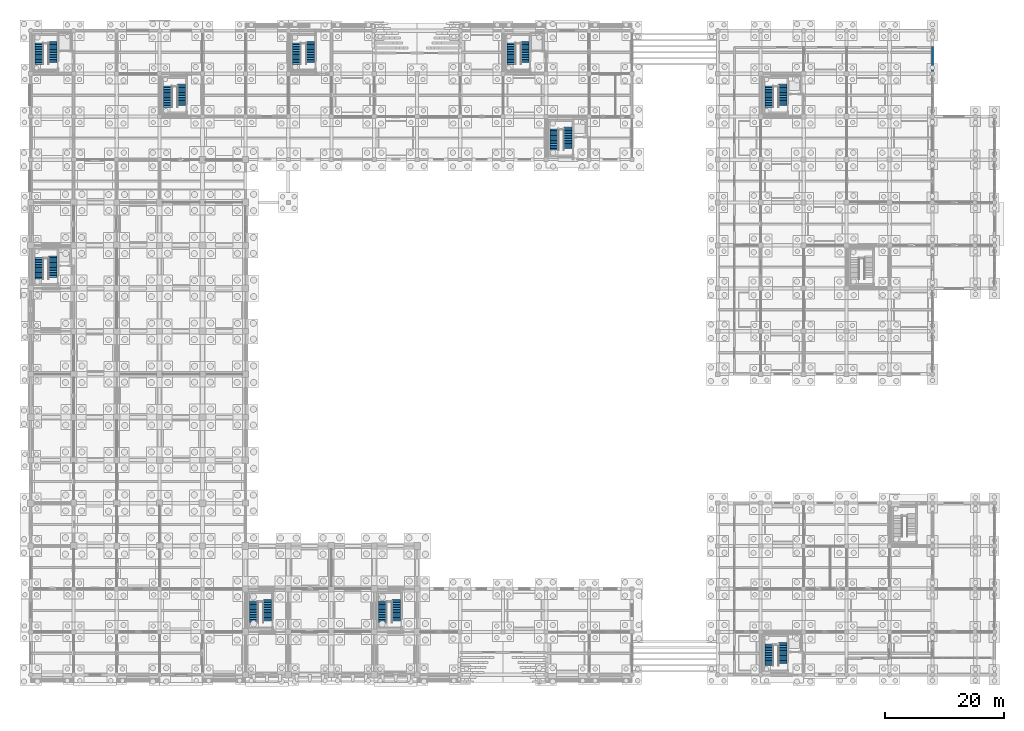
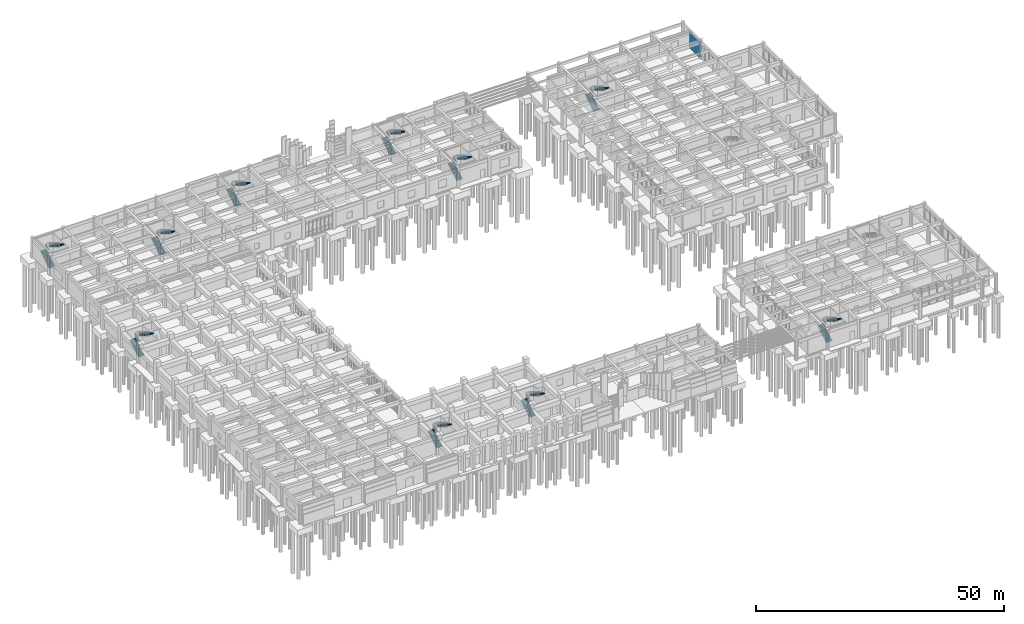
# One storey, part 69 of 79: 20 stair flights, 1 wall, 10 elements without a shape of their own.
"""IFC4 building model written with IfcOpenShell, lengths in metres."""

from ifc_helpers import new_model, si_unit, direction, frame, frame_2d, origin, place, context, subcontext, project, spatial, polyline, rectangle, outline, extrude, material, layer, layer_set, type_object, element, aggregate, save


model = new_model("IFC4")

# Units and contexts
model_context = context("Model", 3, precision=1e-05, world=origin(), true_north=direction((0.0, 1.0)))
body_context = subcontext(model_context, "Body", "Model", "MODEL_VIEW")
ifc_project = project(units=[si_unit("LENGTHUNIT", "METRE"), si_unit("AREAUNIT", "SQUARE_METRE"), si_unit("VOLUMEUNIT", "CUBIC_METRE"), si_unit("PLANEANGLEUNIT", "RADIAN"), si_unit("MASSUNIT", "GRAM", prefix="KILO")], contexts=[model_context])

# Site, building, storey
site_placement = place(None, origin())
site = spatial("IfcSite", under=ifc_project, at=site_placement, CompositionType="ELEMENT")
building_placement = place(site_placement, origin())
building = spatial("IfcBuilding", under=site, at=building_placement, Name="Kavelor Marine Aquarium", CompositionType="ELEMENT")
storey_placement = place(building_placement, origin())
storey = spatial("IfcBuildingStorey", under=building, at=storey_placement, Name="L00", CompositionType="ELEMENT", Elevation=0.0)

# Wall
ifc_material_1 = material(Name="Concrete C45/55", Category="concrete")
ifc_layer = layer(ifc_material_1, 0.340087890625)
ifc_layer_set = layer_set([ifc_layer], Name="WL-EX6")
wall_type = type_object("IfcWallType", Name="WL-EX6", PredefinedType="STANDARD", material=ifc_layer_set)
wall_placement = place(storey_placement, frame((154.39990234375, 108.14990234375, 0.0), z_axis=(0.0, 0.0, 1.0), x_axis=(0.0, -1.0, 0.0)))
element("IfcWall", 1, at=wall_placement, inside=storey, type_object=wall_type, Name="ew:y:L00:21_14", PredefinedType="STANDARD", context=body_context, shape_type="SweptSolid", body=[
    extrude(rectangle(XDim=4.239990234375, YDim=0.340087890625, at=frame_2d((2.1201171875, 0.0))), origin(), (0.0, 0.0, 1.0), 3.669921875),
])

# Stair, stair flights
ifc_material_2 = material(Name="Concrete C40/50", Category="concrete")
stair_type = type_object("IfcStairType", Name="ST-T1", PredefinedType="HALF_TURN_STAIR", material=ifc_material_2)
stair_1_placement = place(storey_placement, origin())
stair_1 = element("IfcStair", 2, at=stair_1_placement, inside=storey, type_object=stair_type, Name="Exit Stair ST01 (L00)", PredefinedType="HALF_TURN_STAIR")
ifc_material_3 = material(Name="Concrete C40/50", Category="concrete")
stair_flight_type = type_object("IfcStairFlightType", Name="FLT-T1", PredefinedType="STRAIGHT", material=ifc_material_3)
stair_flight_1_placement = place(storey_placement, frame((4.580078125, 105.159912109375, 0.0), z_axis=(0.0, 0.0, 1.0), x_axis=(0.0, 1.0, 0.0)))
stair_flight_1 = element("IfcStairFlight", 3, at=stair_flight_1_placement, type_object=stair_flight_type, Name="ST01 flight 1", NumberOfRisers=14, NumberOfTreads=13, PredefinedType="STRAIGHT", RiserHeight=0.167143, TreadLength=0.275, context=body_context, shape_type="SweptSolid", body=[
    extrude(outline(polyline([(0.0, 0.0), (0.0, 0.167236328125), (0.27490234375, 0.167236328125), (0.27490234375, 0.334228515625), (0.550048828125, 0.334228515625), (0.550048828125, 0.50146484375), (0.824951171875, 0.50146484375), (0.824951171875, 0.66845703125), (1.10009765625, 0.66845703125), (1.10009765625, 0.835693359375), (1.375, 0.835693359375), (1.375, 1.0029296875), (1.64990234375, 1.0029296875), (1.64990234375, 1.169921875), (1.925048828125, 1.169921875), (1.925048828125, 1.337158203125), (2.199951171875, 1.337158203125), (2.199951171875, 1.50439453125), (2.47509765625, 1.50439453125), (2.47509765625, 1.67138671875), (2.75, 1.67138671875), (2.75, 1.838623046875), (3.02490234375, 1.838623046875), (3.02490234375, 2.005615234375), (3.300048828125, 2.005615234375), (3.300048828125, 2.1728515625), (3.574951171875, 2.1728515625), (3.574951171875, 2.340087890625), (3.574951171875, 1.96240234375), (0.346435546875, 0.0), (0.0, 0.0)])), frame((0.0, 0.68994140625, 0.0), z_axis=(0.0, -1.0, 0.0), x_axis=(1.0, 0.0, 0.0)), (0.0, 0.0, 1.0), 1.3798828125),
])
stair_flight_2_placement = place(storey_placement, frame((6.89990234375, 109.034912109375, 2.340087890625), z_axis=(0.0, 0.0, 1.0), x_axis=(0.0, -1.0, 0.0)))
stair_flight_2 = element("IfcStairFlight", 4, at=stair_flight_2_placement, type_object=stair_flight_type, Name="ST01 flight 2", NumberOfRisers=14, NumberOfTreads=13, PredefinedType="STRAIGHT", RiserHeight=0.167143, TreadLength=0.275, context=body_context, shape_type="SweptSolid", body=[
    extrude(outline(polyline([(0.0, 0.0), (0.0, 0.167236328125), (0.27490234375, 0.167236328125), (0.27490234375, 0.334228515625), (0.550048828125, 0.334228515625), (0.550048828125, 0.50146484375), (0.824951171875, 0.50146484375), (0.824951171875, 0.66845703125), (1.10009765625, 0.66845703125), (1.10009765625, 0.835693359375), (1.375, 0.835693359375), (1.375, 1.0029296875), (1.64990234375, 1.0029296875), (1.64990234375, 1.169921875), (1.925048828125, 1.169921875), (1.925048828125, 1.337158203125), (2.199951171875, 1.337158203125), (2.199951171875, 1.50439453125), (2.47509765625, 1.50439453125), (2.47509765625, 1.67138671875), (2.75, 1.67138671875), (2.75, 1.838623046875), (3.02490234375, 1.838623046875), (3.02490234375, 2.005615234375), (3.300048828125, 2.005615234375), (3.300048828125, 2.1728515625), (3.574951171875, 2.1728515625), (3.574951171875, 2.340087890625), (3.574951171875, 1.96240234375), (0.346435546875, 0.0), (0.0, 0.0)])), frame((0.0, 0.68994140625, 0.0), z_axis=(0.0, -1.0, 0.0), x_axis=(1.0, 0.0, 0.0)), (0.0, 0.0, 1.0), 1.3798828125),
])
aggregate(stair_1, [stair_flight_1, stair_flight_2])

stair_2_placement = place(storey_placement, origin())
stair_2 = element("IfcStair", 5, at=stair_2_placement, inside=storey, type_object=stair_type, Name="Exit Stair ST02 (L00)", PredefinedType="HALF_TURN_STAIR")
stair_flight_3_placement = place(storey_placement, frame((26.179931640625, 97.9599609375, 0.0), z_axis=(0.0, 0.0, 1.0), x_axis=(0.0, 1.0, 0.0)))
stair_flight_3 = element("IfcStairFlight", 6, at=stair_flight_3_placement, type_object=stair_flight_type, Name="ST02 flight 1", NumberOfRisers=14, NumberOfTreads=13, PredefinedType="STRAIGHT", RiserHeight=0.167143, TreadLength=0.275, context=body_context, shape_type="SweptSolid", body=[
    extrude(outline(polyline([(0.0, 0.0), (0.0, 0.167236328125), (0.27490234375, 0.167236328125), (0.27490234375, 0.334228515625), (0.550048828125, 0.334228515625), (0.550048828125, 0.50146484375), (0.824951171875, 0.50146484375), (0.824951171875, 0.66845703125), (1.10009765625, 0.66845703125), (1.10009765625, 0.835693359375), (1.375, 0.835693359375), (1.375, 1.0029296875), (1.64990234375, 1.0029296875), (1.64990234375, 1.169921875), (1.925048828125, 1.169921875), (1.925048828125, 1.337158203125), (2.199951171875, 1.337158203125), (2.199951171875, 1.50439453125), (2.47509765625, 1.50439453125), (2.47509765625, 1.67138671875), (2.75, 1.67138671875), (2.75, 1.838623046875), (3.02490234375, 1.838623046875), (3.02490234375, 2.005615234375), (3.300048828125, 2.005615234375), (3.300048828125, 2.1728515625), (3.574951171875, 2.1728515625), (3.574951171875, 2.340087890625), (3.574951171875, 1.96240234375), (0.346435546875, 0.0), (0.0, 0.0)])), frame((0.0, 0.68994140625, 0.0), z_axis=(0.0, -1.0, 0.0), x_axis=(1.0, 0.0, 0.0)), (0.0, 0.0, 1.0), 1.3798828125),
])
stair_flight_4_placement = place(storey_placement, frame((28.5, 101.8349609375, 2.340087890625), z_axis=(0.0, 0.0, 1.0), x_axis=(0.0, -1.0, 0.0)))
stair_flight_4 = element("IfcStairFlight", 7, at=stair_flight_4_placement, type_object=stair_flight_type, Name="ST02 flight 2", NumberOfRisers=14, NumberOfTreads=13, PredefinedType="STRAIGHT", RiserHeight=0.167143, TreadLength=0.275, context=body_context, shape_type="SweptSolid", body=[
    extrude(outline(polyline([(0.0, 0.0), (0.0, 0.167236328125), (0.27490234375, 0.167236328125), (0.27490234375, 0.334228515625), (0.550048828125, 0.334228515625), (0.550048828125, 0.50146484375), (0.824951171875, 0.50146484375), (0.824951171875, 0.66845703125), (1.10009765625, 0.66845703125), (1.10009765625, 0.835693359375), (1.375, 0.835693359375), (1.375, 1.0029296875), (1.64990234375, 1.0029296875), (1.64990234375, 1.169921875), (1.925048828125, 1.169921875), (1.925048828125, 1.337158203125), (2.199951171875, 1.337158203125), (2.199951171875, 1.50439453125), (2.47509765625, 1.50439453125), (2.47509765625, 1.67138671875), (2.75, 1.67138671875), (2.75, 1.838623046875), (3.02490234375, 1.838623046875), (3.02490234375, 2.005615234375), (3.300048828125, 2.005615234375), (3.300048828125, 2.1728515625), (3.574951171875, 2.1728515625), (3.574951171875, 2.340087890625), (3.574951171875, 1.96240234375), (0.346435546875, 0.0), (0.0, 0.0)])), frame((0.0, 0.68994140625, 0.0), z_axis=(0.0, -1.0, 0.0), x_axis=(1.0, 0.0, 0.0)), (0.0, 0.0, 1.0), 1.3798828125),
])
aggregate(stair_2, [stair_flight_3, stair_flight_4])

stair_3_placement = place(storey_placement, origin())
stair_3 = element("IfcStair", 8, at=stair_3_placement, inside=storey, type_object=stair_type, Name="Exit Stair ST03 (L00)", PredefinedType="HALF_TURN_STAIR")
stair_flight_5_placement = place(storey_placement, frame((4.580078125, 69.159912109375, 0.0), z_axis=(0.0, 0.0, 1.0), x_axis=(0.0, 1.0, 0.0)))
stair_flight_5 = element("IfcStairFlight", 9, at=stair_flight_5_placement, type_object=stair_flight_type, Name="ST03 flight 1", NumberOfRisers=14, NumberOfTreads=13, PredefinedType="STRAIGHT", RiserHeight=0.167143, TreadLength=0.275, context=body_context, shape_type="SweptSolid", body=[
    extrude(outline(polyline([(0.0, 0.0), (0.0, 0.167236328125), (0.27490234375, 0.167236328125), (0.27490234375, 0.334228515625), (0.550048828125, 0.334228515625), (0.550048828125, 0.50146484375), (0.824951171875, 0.50146484375), (0.824951171875, 0.66845703125), (1.10009765625, 0.66845703125), (1.10009765625, 0.835693359375), (1.375, 0.835693359375), (1.375, 1.0029296875), (1.64990234375, 1.0029296875), (1.64990234375, 1.169921875), (1.925048828125, 1.169921875), (1.925048828125, 1.337158203125), (2.199951171875, 1.337158203125), (2.199951171875, 1.50439453125), (2.47509765625, 1.50439453125), (2.47509765625, 1.67138671875), (2.75, 1.67138671875), (2.75, 1.838623046875), (3.02490234375, 1.838623046875), (3.02490234375, 2.005615234375), (3.300048828125, 2.005615234375), (3.300048828125, 2.1728515625), (3.574951171875, 2.1728515625), (3.574951171875, 2.340087890625), (3.574951171875, 1.96240234375), (0.346435546875, 0.0), (0.0, 0.0)])), frame((0.0, 0.68994140625, 0.0), z_axis=(0.0, -1.0, 0.0), x_axis=(1.0, 0.0, 0.0)), (0.0, 0.0, 1.0), 1.3798828125),
])
stair_flight_6_placement = place(storey_placement, frame((6.89990234375, 73.034912109375, 2.340087890625), z_axis=(0.0, 0.0, 1.0), x_axis=(0.0, -1.0, 0.0)))
stair_flight_6 = element("IfcStairFlight", 10, at=stair_flight_6_placement, type_object=stair_flight_type, Name="ST03 flight 2", NumberOfRisers=14, NumberOfTreads=13, PredefinedType="STRAIGHT", RiserHeight=0.167143, TreadLength=0.275, context=body_context, shape_type="SweptSolid", body=[
    extrude(outline(polyline([(0.0, 0.0), (0.0, 0.167236328125), (0.27490234375, 0.167236328125), (0.27490234375, 0.334228515625), (0.550048828125, 0.334228515625), (0.550048828125, 0.50146484375), (0.824951171875, 0.50146484375), (0.824951171875, 0.66845703125), (1.10009765625, 0.66845703125), (1.10009765625, 0.835693359375), (1.375, 0.835693359375), (1.375, 1.0029296875), (1.64990234375, 1.0029296875), (1.64990234375, 1.169921875), (1.925048828125, 1.169921875), (1.925048828125, 1.337158203125), (2.199951171875, 1.337158203125), (2.199951171875, 1.50439453125), (2.47509765625, 1.50439453125), (2.47509765625, 1.67138671875), (2.75, 1.67138671875), (2.75, 1.838623046875), (3.02490234375, 1.838623046875), (3.02490234375, 2.005615234375), (3.300048828125, 2.005615234375), (3.300048828125, 2.1728515625), (3.574951171875, 2.1728515625), (3.574951171875, 2.340087890625), (3.574951171875, 1.96240234375), (0.346435546875, 0.0), (0.0, 0.0)])), frame((0.0, 0.68994140625, 0.0), z_axis=(0.0, -1.0, 0.0), x_axis=(1.0, 0.0, 0.0)), (0.0, 0.0, 1.0), 1.3798828125),
])
aggregate(stair_3, [stair_flight_5, stair_flight_6])

stair_4_placement = place(storey_placement, origin())
stair_4 = element("IfcStair", 11, at=stair_4_placement, inside=storey, type_object=stair_type, Name="Exit Stair ST04 (L00)", PredefinedType="HALF_TURN_STAIR")
stair_flight_7_placement = place(storey_placement, frame((40.580078125, 11.56005859375, 0.0), z_axis=(0.0, 0.0, 1.0), x_axis=(0.0, 1.0, 0.0)))
stair_flight_7 = element("IfcStairFlight", 12, at=stair_flight_7_placement, type_object=stair_flight_type, Name="ST04 flight 1", NumberOfRisers=14, NumberOfTreads=13, PredefinedType="STRAIGHT", RiserHeight=0.167143, TreadLength=0.275, context=body_context, shape_type="SweptSolid", body=[
    extrude(outline(polyline([(0.0, 0.0), (0.0, 0.167236328125), (0.27490234375, 0.167236328125), (0.27490234375, 0.334228515625), (0.550048828125, 0.334228515625), (0.550048828125, 0.50146484375), (0.824951171875, 0.50146484375), (0.824951171875, 0.66845703125), (1.10009765625, 0.66845703125), (1.10009765625, 0.835693359375), (1.375, 0.835693359375), (1.375, 1.0029296875), (1.64990234375, 1.0029296875), (1.64990234375, 1.169921875), (1.925048828125, 1.169921875), (1.925048828125, 1.337158203125), (2.199951171875, 1.337158203125), (2.199951171875, 1.50439453125), (2.47509765625, 1.50439453125), (2.47509765625, 1.67138671875), (2.75, 1.67138671875), (2.75, 1.838623046875), (3.02490234375, 1.838623046875), (3.02490234375, 2.005615234375), (3.300048828125, 2.005615234375), (3.300048828125, 2.1728515625), (3.574951171875, 2.1728515625), (3.574951171875, 2.340087890625), (3.574951171875, 1.96240234375), (0.346435546875, 0.0), (0.0, 0.0)])), frame((0.0, 0.68994140625, 0.0), z_axis=(0.0, -1.0, 0.0), x_axis=(1.0, 0.0, 0.0)), (0.0, 0.0, 1.0), 1.3798828125),
])
stair_flight_8_placement = place(storey_placement, frame((42.89990234375, 15.43505859375, 2.340087890625), z_axis=(0.0, 0.0, 1.0), x_axis=(0.0, -1.0, 0.0)))
stair_flight_8 = element("IfcStairFlight", 13, at=stair_flight_8_placement, type_object=stair_flight_type, Name="ST04 flight 2", NumberOfRisers=14, NumberOfTreads=13, PredefinedType="STRAIGHT", RiserHeight=0.167143, TreadLength=0.275, context=body_context, shape_type="SweptSolid", body=[
    extrude(outline(polyline([(0.0, 0.0), (0.0, 0.167236328125), (0.27490234375, 0.167236328125), (0.27490234375, 0.334228515625), (0.550048828125, 0.334228515625), (0.550048828125, 0.50146484375), (0.824951171875, 0.50146484375), (0.824951171875, 0.66845703125), (1.10009765625, 0.66845703125), (1.10009765625, 0.835693359375), (1.375, 0.835693359375), (1.375, 1.0029296875), (1.64990234375, 1.0029296875), (1.64990234375, 1.169921875), (1.925048828125, 1.169921875), (1.925048828125, 1.337158203125), (2.199951171875, 1.337158203125), (2.199951171875, 1.50439453125), (2.47509765625, 1.50439453125), (2.47509765625, 1.67138671875), (2.75, 1.67138671875), (2.75, 1.838623046875), (3.02490234375, 1.838623046875), (3.02490234375, 2.005615234375), (3.300048828125, 2.005615234375), (3.300048828125, 2.1728515625), (3.574951171875, 2.1728515625), (3.574951171875, 2.340087890625), (3.574951171875, 1.96240234375), (0.346435546875, 0.0), (0.0, 0.0)])), frame((0.0, 0.68994140625, 0.0), z_axis=(0.0, -1.0, 0.0), x_axis=(1.0, 0.0, 0.0)), (0.0, 0.0, 1.0), 1.3798828125),
])
aggregate(stair_4, [stair_flight_7, stair_flight_8])

stair_5_placement = place(storey_placement, origin())
stair_5 = element("IfcStair", 14, at=stair_5_placement, inside=storey, type_object=stair_type, Name="Exit Stair ST12 (L00)", PredefinedType="HALF_TURN_STAIR")
stair_flight_9_placement = place(storey_placement, frame((62.179931640625, 11.56005859375, 0.0), z_axis=(0.0, 0.0, 1.0), x_axis=(0.0, 1.0, 0.0)))
stair_flight_9 = element("IfcStairFlight", 15, at=stair_flight_9_placement, type_object=stair_flight_type, Name="ST12 flight 1", NumberOfRisers=14, NumberOfTreads=13, PredefinedType="STRAIGHT", RiserHeight=0.167143, TreadLength=0.275, context=body_context, shape_type="SweptSolid", body=[
    extrude(outline(polyline([(0.0, 0.0), (0.0, 0.167236328125), (0.27490234375, 0.167236328125), (0.27490234375, 0.334228515625), (0.550048828125, 0.334228515625), (0.550048828125, 0.50146484375), (0.824951171875, 0.50146484375), (0.824951171875, 0.66845703125), (1.10009765625, 0.66845703125), (1.10009765625, 0.835693359375), (1.375, 0.835693359375), (1.375, 1.0029296875), (1.64990234375, 1.0029296875), (1.64990234375, 1.169921875), (1.925048828125, 1.169921875), (1.925048828125, 1.337158203125), (2.199951171875, 1.337158203125), (2.199951171875, 1.50439453125), (2.47509765625, 1.50439453125), (2.47509765625, 1.67138671875), (2.75, 1.67138671875), (2.75, 1.838623046875), (3.02490234375, 1.838623046875), (3.02490234375, 2.005615234375), (3.300048828125, 2.005615234375), (3.300048828125, 2.1728515625), (3.574951171875, 2.1728515625), (3.574951171875, 2.340087890625), (3.574951171875, 1.96240234375), (0.346435546875, 0.0), (0.0, 0.0)])), frame((0.0, 0.68994140625, 0.0), z_axis=(0.0, -1.0, 0.0), x_axis=(1.0, 0.0, 0.0)), (0.0, 0.0, 1.0), 1.3798828125),
])
stair_flight_10_placement = place(storey_placement, frame((64.5, 15.43505859375, 2.340087890625), z_axis=(0.0, 0.0, 1.0), x_axis=(0.0, -1.0, 0.0)))
stair_flight_10 = element("IfcStairFlight", 16, at=stair_flight_10_placement, type_object=stair_flight_type, Name="ST12 flight 2", NumberOfRisers=14, NumberOfTreads=13, PredefinedType="STRAIGHT", RiserHeight=0.167143, TreadLength=0.275, context=body_context, shape_type="SweptSolid", body=[
    extrude(outline(polyline([(0.0, 0.0), (0.0, 0.167236328125), (0.27490234375, 0.167236328125), (0.27490234375, 0.334228515625), (0.550048828125, 0.334228515625), (0.550048828125, 0.50146484375), (0.824951171875, 0.50146484375), (0.824951171875, 0.66845703125), (1.10009765625, 0.66845703125), (1.10009765625, 0.835693359375), (1.375, 0.835693359375), (1.375, 1.0029296875), (1.64990234375, 1.0029296875), (1.64990234375, 1.169921875), (1.925048828125, 1.169921875), (1.925048828125, 1.337158203125), (2.199951171875, 1.337158203125), (2.199951171875, 1.50439453125), (2.47509765625, 1.50439453125), (2.47509765625, 1.67138671875), (2.75, 1.67138671875), (2.75, 1.838623046875), (3.02490234375, 1.838623046875), (3.02490234375, 2.005615234375), (3.300048828125, 2.005615234375), (3.300048828125, 2.1728515625), (3.574951171875, 2.1728515625), (3.574951171875, 2.340087890625), (3.574951171875, 1.96240234375), (0.346435546875, 0.0), (0.0, 0.0)])), frame((0.0, 0.68994140625, 0.0), z_axis=(0.0, -1.0, 0.0), x_axis=(1.0, 0.0, 0.0)), (0.0, 0.0, 1.0), 1.3798828125),
])
aggregate(stair_5, [stair_flight_9, stair_flight_10])

stair_6_placement = place(storey_placement, origin())
stair_6 = element("IfcStair", 17, at=stair_6_placement, inside=storey, type_object=stair_type, Name="Exit Stair ST05 (L00)", PredefinedType="HALF_TURN_STAIR")
stair_flight_11_placement = place(storey_placement, frame((47.780029296875, 105.159912109375, 0.0), z_axis=(0.0, 0.0, 1.0), x_axis=(0.0, 1.0, 0.0)))
stair_flight_11 = element("IfcStairFlight", 18, at=stair_flight_11_placement, type_object=stair_flight_type, Name="ST05 flight 1", NumberOfRisers=14, NumberOfTreads=13, PredefinedType="STRAIGHT", RiserHeight=0.167143, TreadLength=0.275, context=body_context, shape_type="SweptSolid", body=[
    extrude(outline(polyline([(0.0, 0.0), (0.0, 0.167236328125), (0.27490234375, 0.167236328125), (0.27490234375, 0.334228515625), (0.550048828125, 0.334228515625), (0.550048828125, 0.50146484375), (0.824951171875, 0.50146484375), (0.824951171875, 0.66845703125), (1.10009765625, 0.66845703125), (1.10009765625, 0.835693359375), (1.375, 0.835693359375), (1.375, 1.0029296875), (1.64990234375, 1.0029296875), (1.64990234375, 1.169921875), (1.925048828125, 1.169921875), (1.925048828125, 1.337158203125), (2.199951171875, 1.337158203125), (2.199951171875, 1.50439453125), (2.47509765625, 1.50439453125), (2.47509765625, 1.67138671875), (2.75, 1.67138671875), (2.75, 1.838623046875), (3.02490234375, 1.838623046875), (3.02490234375, 2.005615234375), (3.300048828125, 2.005615234375), (3.300048828125, 2.1728515625), (3.574951171875, 2.1728515625), (3.574951171875, 2.340087890625), (3.574951171875, 1.96240234375), (0.346435546875, 0.0), (0.0, 0.0)])), frame((0.0, 0.68994140625, 0.0), z_axis=(0.0, -1.0, 0.0), x_axis=(1.0, 0.0, 0.0)), (0.0, 0.0, 1.0), 1.3798828125),
])
stair_flight_12_placement = place(storey_placement, frame((50.10009765625, 109.034912109375, 2.340087890625), z_axis=(0.0, 0.0, 1.0), x_axis=(0.0, -1.0, 0.0)))
stair_flight_12 = element("IfcStairFlight", 19, at=stair_flight_12_placement, type_object=stair_flight_type, Name="ST05 flight 2", NumberOfRisers=14, NumberOfTreads=13, PredefinedType="STRAIGHT", RiserHeight=0.167143, TreadLength=0.275, context=body_context, shape_type="SweptSolid", body=[
    extrude(outline(polyline([(0.0, 0.0), (0.0, 0.167236328125), (0.27490234375, 0.167236328125), (0.27490234375, 0.334228515625), (0.550048828125, 0.334228515625), (0.550048828125, 0.50146484375), (0.824951171875, 0.50146484375), (0.824951171875, 0.66845703125), (1.10009765625, 0.66845703125), (1.10009765625, 0.835693359375), (1.375, 0.835693359375), (1.375, 1.0029296875), (1.64990234375, 1.0029296875), (1.64990234375, 1.169921875), (1.925048828125, 1.169921875), (1.925048828125, 1.337158203125), (2.199951171875, 1.337158203125), (2.199951171875, 1.50439453125), (2.47509765625, 1.50439453125), (2.47509765625, 1.67138671875), (2.75, 1.67138671875), (2.75, 1.838623046875), (3.02490234375, 1.838623046875), (3.02490234375, 2.005615234375), (3.300048828125, 2.005615234375), (3.300048828125, 2.1728515625), (3.574951171875, 2.1728515625), (3.574951171875, 2.340087890625), (3.574951171875, 1.96240234375), (0.346435546875, 0.0), (0.0, 0.0)])), frame((0.0, 0.68994140625, 0.0), z_axis=(0.0, -1.0, 0.0), x_axis=(1.0, 0.0, 0.0)), (0.0, 0.0, 1.0), 1.3798828125),
])
aggregate(stair_6, [stair_flight_11, stair_flight_12])

stair_7_placement = place(storey_placement, origin())
stair_7 = element("IfcStair", 20, at=stair_7_placement, inside=storey, type_object=stair_type, Name="Exit Stair ST06 (L00)", PredefinedType="HALF_TURN_STAIR")
stair_flight_13_placement = place(storey_placement, frame((83.780029296875, 105.159912109375, 0.0), z_axis=(0.0, 0.0, 1.0), x_axis=(0.0, 1.0, 0.0)))
stair_flight_13 = element("IfcStairFlight", 21, at=stair_flight_13_placement, type_object=stair_flight_type, Name="ST06 flight 1", NumberOfRisers=14, NumberOfTreads=13, PredefinedType="STRAIGHT", RiserHeight=0.167143, TreadLength=0.275, context=body_context, shape_type="SweptSolid", body=[
    extrude(outline(polyline([(0.0, 0.0), (0.0, 0.167236328125), (0.27490234375, 0.167236328125), (0.27490234375, 0.334228515625), (0.550048828125, 0.334228515625), (0.550048828125, 0.50146484375), (0.824951171875, 0.50146484375), (0.824951171875, 0.66845703125), (1.10009765625, 0.66845703125), (1.10009765625, 0.835693359375), (1.375, 0.835693359375), (1.375, 1.0029296875), (1.64990234375, 1.0029296875), (1.64990234375, 1.169921875), (1.925048828125, 1.169921875), (1.925048828125, 1.337158203125), (2.199951171875, 1.337158203125), (2.199951171875, 1.50439453125), (2.47509765625, 1.50439453125), (2.47509765625, 1.67138671875), (2.75, 1.67138671875), (2.75, 1.838623046875), (3.02490234375, 1.838623046875), (3.02490234375, 2.005615234375), (3.300048828125, 2.005615234375), (3.300048828125, 2.1728515625), (3.574951171875, 2.1728515625), (3.574951171875, 2.340087890625), (3.574951171875, 1.96240234375), (0.346435546875, 0.0), (0.0, 0.0)])), frame((0.0, 0.68994140625, 0.0), z_axis=(0.0, -1.0, 0.0), x_axis=(1.0, 0.0, 0.0)), (0.0, 0.0, 1.0), 1.3798828125),
])
stair_flight_14_placement = place(storey_placement, frame((86.10009765625, 109.034912109375, 2.340087890625), z_axis=(0.0, 0.0, 1.0), x_axis=(0.0, -1.0, 0.0)))
stair_flight_14 = element("IfcStairFlight", 22, at=stair_flight_14_placement, type_object=stair_flight_type, Name="ST06 flight 2", NumberOfRisers=14, NumberOfTreads=13, PredefinedType="STRAIGHT", RiserHeight=0.167143, TreadLength=0.275, context=body_context, shape_type="SweptSolid", body=[
    extrude(outline(polyline([(0.0, 0.0), (0.0, 0.167236328125), (0.27490234375, 0.167236328125), (0.27490234375, 0.334228515625), (0.550048828125, 0.334228515625), (0.550048828125, 0.50146484375), (0.824951171875, 0.50146484375), (0.824951171875, 0.66845703125), (1.10009765625, 0.66845703125), (1.10009765625, 0.835693359375), (1.375, 0.835693359375), (1.375, 1.0029296875), (1.64990234375, 1.0029296875), (1.64990234375, 1.169921875), (1.925048828125, 1.169921875), (1.925048828125, 1.337158203125), (2.199951171875, 1.337158203125), (2.199951171875, 1.50439453125), (2.47509765625, 1.50439453125), (2.47509765625, 1.67138671875), (2.75, 1.67138671875), (2.75, 1.838623046875), (3.02490234375, 1.838623046875), (3.02490234375, 2.005615234375), (3.300048828125, 2.005615234375), (3.300048828125, 2.1728515625), (3.574951171875, 2.1728515625), (3.574951171875, 2.340087890625), (3.574951171875, 1.96240234375), (0.346435546875, 0.0), (0.0, 0.0)])), frame((0.0, 0.68994140625, 0.0), z_axis=(0.0, -1.0, 0.0), x_axis=(1.0, 0.0, 0.0)), (0.0, 0.0, 1.0), 1.3798828125),
])
aggregate(stair_7, [stair_flight_13, stair_flight_14])

stair_8_placement = place(storey_placement, origin())
stair_8 = element("IfcStair", 23, at=stair_8_placement, inside=storey, type_object=stair_type, Name="Exit Stair ST07 (L00)", PredefinedType="HALF_TURN_STAIR")
stair_flight_15_placement = place(storey_placement, frame((90.97998046875, 90.760009765625, 0.0), z_axis=(0.0, 0.0, 1.0), x_axis=(0.0, 1.0, 0.0)))
stair_flight_15 = element("IfcStairFlight", 24, at=stair_flight_15_placement, type_object=stair_flight_type, Name="ST07 flight 1", NumberOfRisers=14, NumberOfTreads=13, PredefinedType="STRAIGHT", RiserHeight=0.167143, TreadLength=0.275, context=body_context, shape_type="SweptSolid", body=[
    extrude(outline(polyline([(0.0, 0.0), (0.0, 0.167236328125), (0.27490234375, 0.167236328125), (0.27490234375, 0.334228515625), (0.550048828125, 0.334228515625), (0.550048828125, 0.50146484375), (0.824951171875, 0.50146484375), (0.824951171875, 0.66845703125), (1.10009765625, 0.66845703125), (1.10009765625, 0.835693359375), (1.375, 0.835693359375), (1.375, 1.0029296875), (1.64990234375, 1.0029296875), (1.64990234375, 1.169921875), (1.925048828125, 1.169921875), (1.925048828125, 1.337158203125), (2.199951171875, 1.337158203125), (2.199951171875, 1.50439453125), (2.47509765625, 1.50439453125), (2.47509765625, 1.67138671875), (2.75, 1.67138671875), (2.75, 1.838623046875), (3.02490234375, 1.838623046875), (3.02490234375, 2.005615234375), (3.300048828125, 2.005615234375), (3.300048828125, 2.1728515625), (3.574951171875, 2.1728515625), (3.574951171875, 2.340087890625), (3.574951171875, 1.96240234375), (0.346435546875, 0.0), (0.0, 0.0)])), frame((0.0, 0.68994140625, 0.0), z_axis=(0.0, -1.0, 0.0), x_axis=(1.0, 0.0, 0.0)), (0.0, 0.0, 1.0), 1.3798828125),
])
stair_flight_16_placement = place(storey_placement, frame((93.300048828125, 94.635009765625, 2.340087890625), z_axis=(0.0, 0.0, 1.0), x_axis=(0.0, -1.0, 0.0)))
stair_flight_16 = element("IfcStairFlight", 25, at=stair_flight_16_placement, type_object=stair_flight_type, Name="ST07 flight 2", NumberOfRisers=14, NumberOfTreads=13, PredefinedType="STRAIGHT", RiserHeight=0.167143, TreadLength=0.275, context=body_context, shape_type="SweptSolid", body=[
    extrude(outline(polyline([(0.0, 0.0), (0.0, 0.167236328125), (0.27490234375, 0.167236328125), (0.27490234375, 0.334228515625), (0.550048828125, 0.334228515625), (0.550048828125, 0.50146484375), (0.824951171875, 0.50146484375), (0.824951171875, 0.66845703125), (1.10009765625, 0.66845703125), (1.10009765625, 0.835693359375), (1.375, 0.835693359375), (1.375, 1.0029296875), (1.64990234375, 1.0029296875), (1.64990234375, 1.169921875), (1.925048828125, 1.169921875), (1.925048828125, 1.337158203125), (2.199951171875, 1.337158203125), (2.199951171875, 1.50439453125), (2.47509765625, 1.50439453125), (2.47509765625, 1.67138671875), (2.75, 1.67138671875), (2.75, 1.838623046875), (3.02490234375, 1.838623046875), (3.02490234375, 2.005615234375), (3.300048828125, 2.005615234375), (3.300048828125, 2.1728515625), (3.574951171875, 2.1728515625), (3.574951171875, 2.340087890625), (3.574951171875, 1.96240234375), (0.346435546875, 0.0), (0.0, 0.0)])), frame((0.0, 0.68994140625, 0.0), z_axis=(0.0, -1.0, 0.0), x_axis=(1.0, 0.0, 0.0)), (0.0, 0.0, 1.0), 1.3798828125),
])
aggregate(stair_8, [stair_flight_15, stair_flight_16])

stair_9_placement = place(storey_placement, origin())
stair_9 = element("IfcStair", 26, at=stair_9_placement, inside=storey, type_object=stair_type, Name="Exit Stair ST08 (L00)", PredefinedType="HALF_TURN_STAIR")
stair_flight_17_placement = place(storey_placement, frame((126.97998046875, 4.360107421875, 0.0), z_axis=(0.0, 0.0, 1.0), x_axis=(0.0, 1.0, 0.0)))
stair_flight_17 = element("IfcStairFlight", 27, at=stair_flight_17_placement, type_object=stair_flight_type, Name="ST08 flight 1", NumberOfRisers=14, NumberOfTreads=13, PredefinedType="STRAIGHT", RiserHeight=0.167143, TreadLength=0.275, context=body_context, shape_type="SweptSolid", body=[
    extrude(outline(polyline([(0.0, 0.0), (0.0, 0.167236328125), (0.27490234375, 0.167236328125), (0.27490234375, 0.334228515625), (0.550048828125, 0.334228515625), (0.550048828125, 0.50146484375), (0.824951171875, 0.50146484375), (0.824951171875, 0.66845703125), (1.10009765625, 0.66845703125), (1.10009765625, 0.835693359375), (1.375, 0.835693359375), (1.375, 1.0029296875), (1.64990234375, 1.0029296875), (1.64990234375, 1.169921875), (1.925048828125, 1.169921875), (1.925048828125, 1.337158203125), (2.199951171875, 1.337158203125), (2.199951171875, 1.50439453125), (2.47509765625, 1.50439453125), (2.47509765625, 1.67138671875), (2.75, 1.67138671875), (2.75, 1.838623046875), (3.02490234375, 1.838623046875), (3.02490234375, 2.005615234375), (3.300048828125, 2.005615234375), (3.300048828125, 2.1728515625), (3.574951171875, 2.1728515625), (3.574951171875, 2.340087890625), (3.574951171875, 1.96240234375), (0.346435546875, 0.0), (0.0, 0.0)])), frame((0.0, 0.68994140625, 0.0), z_axis=(0.0, -1.0, 0.0), x_axis=(1.0, 0.0, 0.0)), (0.0, 0.0, 1.0), 1.3798828125),
])
stair_flight_18_placement = place(storey_placement, frame((129.300048828125, 8.235107421875, 2.340087890625), z_axis=(0.0, 0.0, 1.0), x_axis=(0.0, -1.0, 0.0)))
stair_flight_18 = element("IfcStairFlight", 28, at=stair_flight_18_placement, type_object=stair_flight_type, Name="ST08 flight 2", NumberOfRisers=14, NumberOfTreads=13, PredefinedType="STRAIGHT", RiserHeight=0.167143, TreadLength=0.275, context=body_context, shape_type="SweptSolid", body=[
    extrude(outline(polyline([(0.0, 0.0), (0.0, 0.167236328125), (0.27490234375, 0.167236328125), (0.27490234375, 0.334228515625), (0.550048828125, 0.334228515625), (0.550048828125, 0.50146484375), (0.824951171875, 0.50146484375), (0.824951171875, 0.66845703125), (1.10009765625, 0.66845703125), (1.10009765625, 0.835693359375), (1.375, 0.835693359375), (1.375, 1.0029296875), (1.64990234375, 1.0029296875), (1.64990234375, 1.169921875), (1.925048828125, 1.169921875), (1.925048828125, 1.337158203125), (2.199951171875, 1.337158203125), (2.199951171875, 1.50439453125), (2.47509765625, 1.50439453125), (2.47509765625, 1.67138671875), (2.75, 1.67138671875), (2.75, 1.838623046875), (3.02490234375, 1.838623046875), (3.02490234375, 2.005615234375), (3.300048828125, 2.005615234375), (3.300048828125, 2.1728515625), (3.574951171875, 2.1728515625), (3.574951171875, 2.340087890625), (3.574951171875, 1.96240234375), (0.346435546875, 0.0), (0.0, 0.0)])), frame((0.0, 0.68994140625, 0.0), z_axis=(0.0, -1.0, 0.0), x_axis=(1.0, 0.0, 0.0)), (0.0, 0.0, 1.0), 1.3798828125),
])
aggregate(stair_9, [stair_flight_17, stair_flight_18])

stair_10_placement = place(storey_placement, origin())
stair_10 = element("IfcStair", 29, at=stair_10_placement, inside=storey, type_object=stair_type, Name="Exit Stair ST10 (L00)", PredefinedType="HALF_TURN_STAIR")
stair_flight_19_placement = place(storey_placement, frame((126.97998046875, 97.9599609375, 0.0), z_axis=(0.0, 0.0, 1.0), x_axis=(0.0, 1.0, 0.0)))
stair_flight_19 = element("IfcStairFlight", 30, at=stair_flight_19_placement, type_object=stair_flight_type, Name="ST10 flight 1", NumberOfRisers=14, NumberOfTreads=13, PredefinedType="STRAIGHT", RiserHeight=0.167143, TreadLength=0.275, context=body_context, shape_type="SweptSolid", body=[
    extrude(outline(polyline([(0.0, 0.0), (0.0, 0.167236328125), (0.27490234375, 0.167236328125), (0.27490234375, 0.334228515625), (0.550048828125, 0.334228515625), (0.550048828125, 0.50146484375), (0.824951171875, 0.50146484375), (0.824951171875, 0.66845703125), (1.10009765625, 0.66845703125), (1.10009765625, 0.835693359375), (1.375, 0.835693359375), (1.375, 1.0029296875), (1.64990234375, 1.0029296875), (1.64990234375, 1.169921875), (1.925048828125, 1.169921875), (1.925048828125, 1.337158203125), (2.199951171875, 1.337158203125), (2.199951171875, 1.50439453125), (2.47509765625, 1.50439453125), (2.47509765625, 1.67138671875), (2.75, 1.67138671875), (2.75, 1.838623046875), (3.02490234375, 1.838623046875), (3.02490234375, 2.005615234375), (3.300048828125, 2.005615234375), (3.300048828125, 2.1728515625), (3.574951171875, 2.1728515625), (3.574951171875, 2.340087890625), (3.574951171875, 1.96240234375), (0.346435546875, 0.0), (0.0, 0.0)])), frame((0.0, 0.68994140625, 0.0), z_axis=(0.0, -1.0, 0.0), x_axis=(1.0, 0.0, 0.0)), (0.0, 0.0, 1.0), 1.3798828125),
])
stair_flight_20_placement = place(storey_placement, frame((129.300048828125, 101.8349609375, 2.340087890625), z_axis=(0.0, 0.0, 1.0), x_axis=(0.0, -1.0, 0.0)))
stair_flight_20 = element("IfcStairFlight", 31, at=stair_flight_20_placement, type_object=stair_flight_type, Name="ST10 flight 2", NumberOfRisers=14, NumberOfTreads=13, PredefinedType="STRAIGHT", RiserHeight=0.167143, TreadLength=0.275, context=body_context, shape_type="SweptSolid", body=[
    extrude(outline(polyline([(0.0, 0.0), (0.0, 0.167236328125), (0.27490234375, 0.167236328125), (0.27490234375, 0.334228515625), (0.550048828125, 0.334228515625), (0.550048828125, 0.50146484375), (0.824951171875, 0.50146484375), (0.824951171875, 0.66845703125), (1.10009765625, 0.66845703125), (1.10009765625, 0.835693359375), (1.375, 0.835693359375), (1.375, 1.0029296875), (1.64990234375, 1.0029296875), (1.64990234375, 1.169921875), (1.925048828125, 1.169921875), (1.925048828125, 1.337158203125), (2.199951171875, 1.337158203125), (2.199951171875, 1.50439453125), (2.47509765625, 1.50439453125), (2.47509765625, 1.67138671875), (2.75, 1.67138671875), (2.75, 1.838623046875), (3.02490234375, 1.838623046875), (3.02490234375, 2.005615234375), (3.300048828125, 2.005615234375), (3.300048828125, 2.1728515625), (3.574951171875, 2.1728515625), (3.574951171875, 2.340087890625), (3.574951171875, 1.96240234375), (0.346435546875, 0.0), (0.0, 0.0)])), frame((0.0, 0.68994140625, 0.0), z_axis=(0.0, -1.0, 0.0), x_axis=(1.0, 0.0, 0.0)), (0.0, 0.0, 1.0), 1.3798828125),
])
aggregate(stair_10, [stair_flight_19, stair_flight_20])

save(model, "model.ifc")
